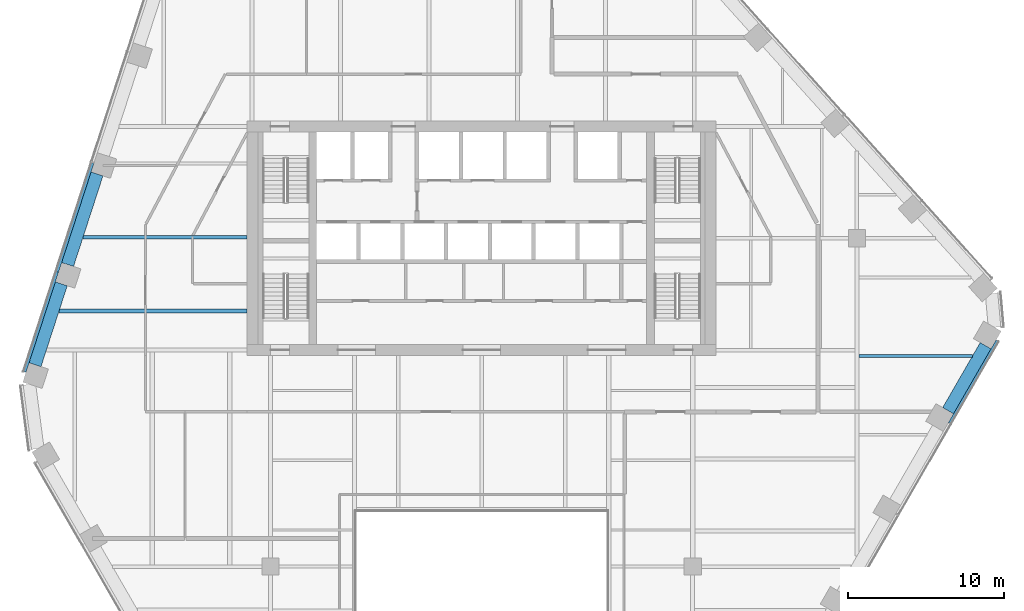
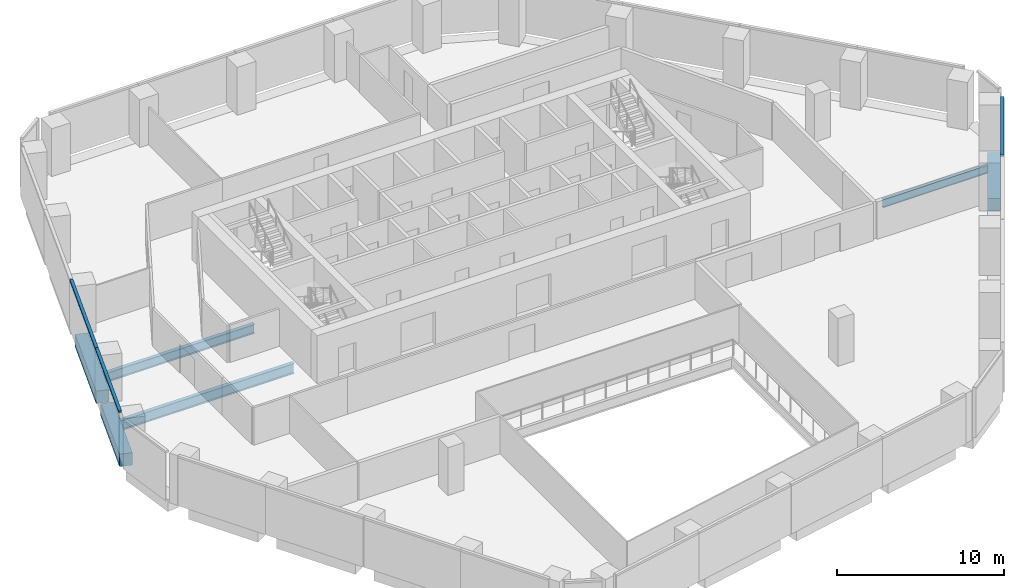
# One storey, part 6 of 16: 6 beams, 3 members, 2 elements without a shape of their own.
"""IFC4 building model written with IfcOpenShell, lengths in metres."""

from ifc_helpers import new_model, si_unit, direction, frame, origin, origin_2d, place, context, subcontext, project, spatial, rectangle, i_section, extrude, material, layer, layer_set, material_profile, profile_set, type_object, element, aggregate, save


model = new_model("IFC4")

# Units and contexts
model_context = context("Model", 3, precision=1e-05, world=origin(), true_north=direction((0.0, 1.0)))
body_context = subcontext(model_context, "Body", "Model", "MODEL_VIEW")
ifc_project = project(units=[si_unit("LENGTHUNIT", "METRE"), si_unit("AREAUNIT", "SQUARE_METRE"), si_unit("VOLUMEUNIT", "CUBIC_METRE"), si_unit("PLANEANGLEUNIT", "RADIAN"), si_unit("MASSUNIT", "GRAM", prefix="KILO")], contexts=[model_context])

# Site, building, storey
site_placement = place(None, origin())
site = spatial("IfcSite", under=ifc_project, at=site_placement, CompositionType="ELEMENT")
building_placement = place(site_placement, origin())
building = spatial("IfcBuilding", under=site, at=building_placement, Name="Isthmus Gate Tower", CompositionType="ELEMENT")
storey_placement = place(building_placement, frame((0.0, 0.0, 178.10009765625)))
storey = spatial("IfcBuildingStorey", under=building, at=storey_placement, Name="L44", CompositionType="ELEMENT", Elevation=178.10009765625)

# Curtain wall, members
ifc_material_1 = material(Name="Aluminium, pale champagne anodised", Category="aluminium")
ifc_layer = layer(ifc_material_1, 0.199951171875)
ifc_layer_set = layer_set([ifc_layer], Name="CW-1 UNITISED CURTAIN WALL 200 DEEP")
curtain_wall_type = type_object("IfcCurtainWallType", Name="CW-1 UNITISED CURTAIN WALL 200 DEEP", PredefinedType="NOTDEFINED", material=ifc_layer_set)
curtain_wall_1_placement = place(storey_placement, origin())
curtain_wall_1 = element("IfcCurtainWall", 1, at=curtain_wall_1_placement, inside=storey, type_object=curtain_wall_type, Name="CW-1 NW L44", PredefinedType="NOTDEFINED")
ifc_material_2 = material(Name="Aluminium, pale champagne anodised", Category="aluminium")
ifc_material_profile_1 = material_profile(ifc_material_2, rectangle(XDim=0.199951171875, YDim=0.139892578125, at=origin_2d()), Name="200x140")
ifc_profile_set_1 = profile_set([ifc_material_profile_1], Name="Aluminium, pale champagne anodised")
member_type = type_object("IfcMemberType", Name="CW-1 TRANSOM 200 X 140", PredefinedType="USERDEFINED", material=ifc_profile_set_1)
member_1_placement = place(storey_placement, frame((-24.896240234375, 12.33056640625, 3.579833984375), z_axis=(-0.309025074527, -0.951053890857, 0.0), x_axis=(0.951053890857, -0.309025074527, 0.0)))
member_1 = element("IfcMember", 2, at=member_1_placement, type_object=member_type, Name="CW-1 transom", ObjectType="TRANSOM", PredefinedType="USERDEFINED", context=body_context, shape_type="SweptSolid", body=[
    extrude(rectangle(XDim=0.199951171875, YDim=0.139892578125, at=origin_2d()), origin(), (0.0, 0.0, 1.0), 7.330810546875),
])
member_2_placement = place(storey_placement, frame((-27.16162109375, 5.358642578125, 3.579833984375), z_axis=(-0.309014822289, -0.951057222046, 0.0), x_axis=(0.951057222046, -0.309014822289, 0.0)))
member_2 = element("IfcMember", 3, at=member_2_placement, type_object=member_type, Name="CW-1 transom", ObjectType="TRANSOM", PredefinedType="USERDEFINED", context=body_context, shape_type="SweptSolid", body=[
    extrude(rectangle(XDim=0.199951171875, YDim=0.139892578125, at=origin_2d()), origin(), (0.0, 0.0, 1.0), 6.74072265625),
])
aggregate(curtain_wall_1, [member_1, member_2])

# Curtain wall, member
curtain_wall_2_placement = place(storey_placement, origin())
curtain_wall_2 = element("IfcCurtainWall", 4, at=curtain_wall_2_placement, inside=storey, type_object=curtain_wall_type, Name="CW-1 SE L44", PredefinedType="NOTDEFINED")
member_3_placement = place(storey_placement, frame((29.941162109375, -4.34033203125, 3.579833984375), z_axis=(0.499991521122, 0.866030299012, 0.0), x_axis=(-0.866030299012, 0.499991521122, 0.0)))
member_3 = element("IfcMember", 5, at=member_3_placement, type_object=member_type, Name="CW-1 transom", ObjectType="TRANSOM", PredefinedType="USERDEFINED", context=body_context, shape_type="SweptSolid", body=[
    extrude(rectangle(XDim=0.199951171875, YDim=0.139892578125, at=origin_2d()), origin(), (0.0, 0.0, 1.0), 6.10009765625),
])
aggregate(curtain_wall_2, [member_3])

# Beams
ifc_material_3 = material(Name="Concrete f'c 60 MPa", Category="concrete")
ifc_material_profile_2 = material_profile(ifc_material_3, rectangle(XDim=0.800048828125, YDim=0.89990234375, at=origin_2d()), Name="RC 800X900")
ifc_profile_set_2 = profile_set([ifc_material_profile_2], Name="Concrete f'c 60 MPa")
beam_type_1 = type_object("IfcBeamType", Name="RC SPANDREL 800 X 900", PredefinedType="SPANDREL", material=ifc_profile_set_2)
beam_1_placement = place(storey_placement, frame((32.2333984375, 0.629638671875, -0.4501953125), z_axis=(-0.500017431331, -0.866015339567, 0.0), x_axis=(0.866015339567, -0.500017431331, 0.0)))
element("IfcBeam", 6, at=beam_1_placement, inside=storey, type_object=beam_type_1, Name="str-spandrel-L44-06", PredefinedType="SPANDREL", context=body_context, shape_type="SweptSolid", body=[
    extrude(rectangle(XDim=0.800048828125, YDim=0.89990234375, at=origin_2d()), origin(), (0.0, 0.0, 1.0), 4.800048828125),
])
beam_2_placement = place(storey_placement, frame((-28.568115234375, -0.588623046875, -0.4501953125), z_axis=(0.308989680586, 0.95106539065, 0.0), x_axis=(-0.95106539065, 0.308989680586, 0.0)))
element("IfcBeam", 7, at=beam_2_placement, inside=storey, type_object=beam_type_1, Name="str-spandrel-L44-21", PredefinedType="SPANDREL", context=body_context, shape_type="SweptSolid", body=[
    extrude(rectangle(XDim=0.800048828125, YDim=0.89990234375, at=origin_2d()), origin(), (0.0, 0.0, 1.0), 5.44091796875),
])
beam_3_placement = place(storey_placement, frame((-26.485107421875, 5.822265625, -0.4501953125), z_axis=(0.309003593002, 0.951060870561, 0.0), x_axis=(-0.951060870561, 0.309003593002, 0.0)))
element("IfcBeam", 8, at=beam_3_placement, inside=storey, type_object=beam_type_1, Name="str-spandrel-L44-22", PredefinedType="SPANDREL", context=body_context, shape_type="SweptSolid", body=[
    extrude(rectangle(XDim=0.800048828125, YDim=0.89990234375, at=origin_2d()), origin(), (0.0, 0.0, 1.0), 6.0908203125),
])
ifc_material_4 = material(Name="Structural steel ASTM A992 Gr 50", Category="steel")
ifc_material_profile_3 = material_profile(ifc_material_4, i_section(OverallWidth=0.177734375, OverallDepth=0.60009765625, WebThickness=0.009521484375, FlangeThickness=0.0126953125, at=origin_2d()), Name="W24X55")
ifc_profile_set_3 = profile_set([ifc_material_profile_3], Name="Structural steel ASTM A992 Gr 50")
beam_type_2 = type_object("IfcBeamType", Name="STEEL FLOOR BEAM W24X55", PredefinedType="JOIST", material=ifc_profile_set_3)
beam_4_placement = place(storey_placement, frame((24.13330078125, -0.037353515625, -0.4501953125), z_axis=(1.0, 0.0, 0.0), x_axis=(0.0, 1.0, 0.0)))
element("IfcBeam", 9, at=beam_4_placement, inside=storey, type_object=beam_type_2, Name="str-beam-L44-16-01", PredefinedType="JOIST", context=body_context, shape_type="SweptSolid", body=[
    extrude(i_section(OverallWidth=0.177734375, OverallDepth=0.60009765625, WebThickness=0.009521484375, FlangeThickness=0.0126953125, at=origin_2d()), origin(), (0.0, 0.0, 1.0), 7.2529296875),
])
ifc_material_5 = material(Name="Structural steel ASTM A992 Gr 50", Category="steel")
ifc_material_profile_4 = material_profile(ifc_material_5, i_section(OverallWidth=0.25390625, OverallDepth=0.679443359375, WebThickness=0.010986328125, FlangeThickness=0.015869140625, at=origin_2d()), Name="W27X84")
ifc_profile_set_4 = profile_set([ifc_material_profile_4], Name="Structural steel ASTM A992 Gr 50")
beam_type_3 = type_object("IfcBeamType", Name="STEEL FLOOR BEAM W27X84", PredefinedType="JOIST", material=ifc_profile_set_4)
beam_5_placement = place(storey_placement, frame((-25.498046875, 7.56591796875, -0.48974609375), z_axis=(1.0, 0.0, 0.0), x_axis=(0.0, 1.0, 0.0)))
element("IfcBeam", 10, at=beam_5_placement, inside=storey, type_object=beam_type_3, Name="str-beam-L44-01-01", PredefinedType="JOIST", context=body_context, shape_type="SweptSolid", body=[
    extrude(i_section(OverallWidth=0.25390625, OverallDepth=0.679443359375, WebThickness=0.010986328125, FlangeThickness=0.015869140625, at=origin_2d()), origin(), (0.0, 0.0, 1.0), 10.498046875),
])
ifc_material_6 = material(Name="Structural steel ASTM A992 Gr 50", Category="steel")
ifc_material_profile_5 = material_profile(ifc_material_6, i_section(OverallWidth=0.263427734375, OverallDepth=0.749267578125, WebThickness=0.0126953125, FlangeThickness=0.015869140625, at=origin_2d()), Name="W30X90")
ifc_profile_set_5 = profile_set([ifc_material_profile_5], Name="Structural steel ASTM A992 Gr 50")
beam_type_4 = type_object("IfcBeamType", Name="STEEL FLOOR BEAM W30X90", PredefinedType="JOIST", material=ifc_profile_set_5)
beam_6_placement = place(storey_placement, frame((-27.03271484375, 2.843017578125, -0.524658203125), z_axis=(1.0, 0.0, 0.0), x_axis=(0.0, 1.0, 0.0)))
element("IfcBeam", 11, at=beam_6_placement, inside=storey, type_object=beam_type_4, Name="str-beam-L44-01-00", PredefinedType="JOIST", context=body_context, shape_type="SweptSolid", body=[
    extrude(i_section(OverallWidth=0.263427734375, OverallDepth=0.749267578125, WebThickness=0.0126953125, FlangeThickness=0.015869140625, at=origin_2d()), origin(), (0.0, 0.0, 1.0), 12.03271484375),
])

save(model, "model.ifc")
